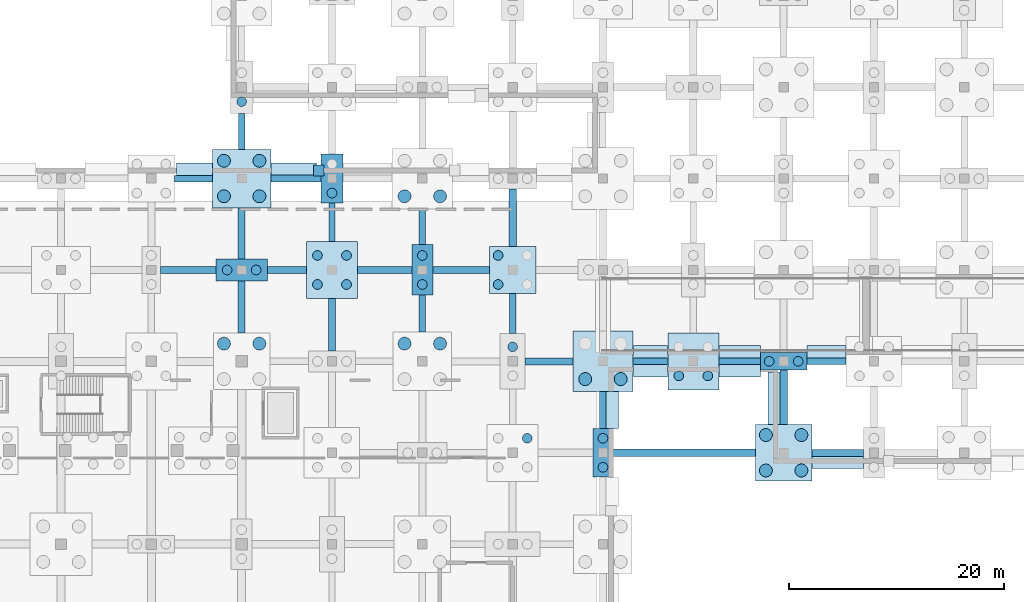
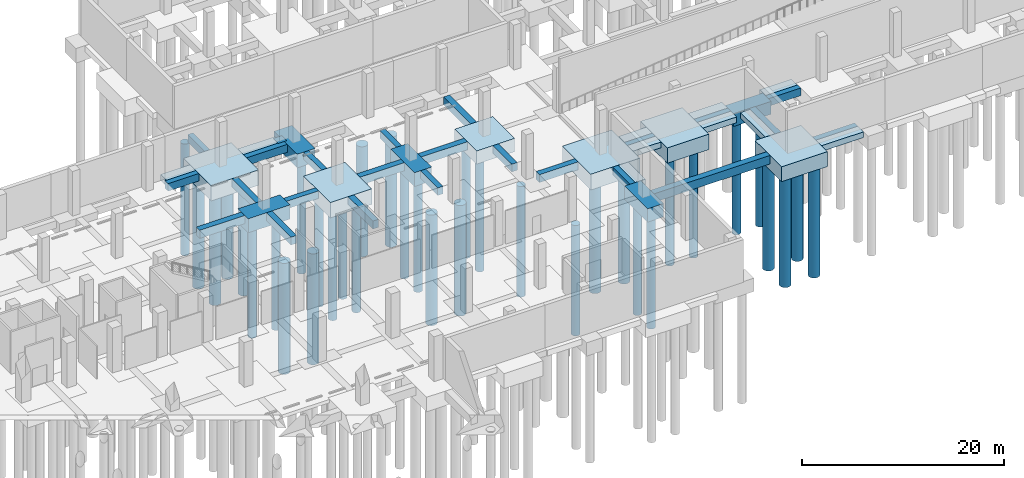
# One storey, part 16 of 34: 45 footings, 36 piles.
"""IFC4 building model written with IfcOpenShell, lengths in metres."""

from ifc_helpers import new_model, si_unit, direction, frame, origin, origin_2d, place, context, subcontext, project, spatial, rectangle, circle, extrude, material, material_profile, profile_set, type_object, element, save


model = new_model("IFC4")

# Units and contexts
model_context = context("Model", 3, precision=1e-05, world=origin(), true_north=direction((0.0, 1.0)))
body_context = subcontext(model_context, "Body", "Model", "MODEL_VIEW")
ifc_project = project(units=[si_unit("LENGTHUNIT", "METRE"), si_unit("AREAUNIT", "SQUARE_METRE"), si_unit("VOLUMEUNIT", "CUBIC_METRE"), si_unit("PLANEANGLEUNIT", "RADIAN"), si_unit("MASSUNIT", "GRAM", prefix="KILO")], contexts=[model_context])

# Site, building, storey
site_placement = place(None, origin())
site = spatial("IfcSite", under=ifc_project, at=site_placement, CompositionType="ELEMENT")
building_placement = place(site_placement, origin())
building = spatial("IfcBuilding", under=site, at=building_placement, Name="Solvento Point Concert Hall", CompositionType="ELEMENT")
storey_placement = place(building_placement, frame((0.0, 0.0, -5.39990234375)))
storey = spatial("IfcBuildingStorey", under=building, at=storey_placement, Name="B01", CompositionType="ELEMENT", Elevation=-5.39990234375)

# Piles
ifc_material_1 = material(Name="Concrete C40/50", Category="concrete")
ifc_material_profile_1 = material_profile(ifc_material_1, circle(Radius=0.60009765625, at=origin_2d()), Name="BP-1200")
ifc_profile_set_1 = profile_set([ifc_material_profile_1], Name="Concrete C40/50")
pile_type_1 = type_object("IfcPileType", Name="BoredPile_1200", PredefinedType="BORED", material=ifc_profile_set_1)
for number, where, z_axis, x_axis, name in (
    (1, (131.550048828125, 95.14990234375, -1.7001953125), (0.0, 0.0, -1.0), (1.0, 0.0, 0.0), "Bored pile BoredPile_1200 #459"),
    (2, (134.85009765625, 95.14990234375, -1.7001953125), (0.0, 0.0, -1.0), (1.0, 0.0, 0.0), "Bored pile BoredPile_1200 #460"),
):
    element("IfcPile", number, at=place(storey_placement, frame(where, z_axis=z_axis, x_axis=x_axis)), inside=storey, type_object=pile_type_1, Name=name, PredefinedType="BORED", context=body_context, shape_type="SweptSolid", body=[
        extrude(circle(Radius=0.60009765625, at=origin_2d()), origin(), (0.0, 0.0, 1.0), 13.39990234375),
    ])
for number, where, z_axis, x_axis, name in (
    (3, (131.550048828125, 108.85009765625, -1.75), (0.0, 0.0, -1.0), (1.0, 0.0, 0.0), "Bored pile BoredPile_1200 #463"),
    (4, (134.85009765625, 108.85009765625, -1.75), (0.0, 0.0, -1.0), (1.0, 0.0, 0.0), "Bored pile BoredPile_1200 #464"),
    (5, (131.550048828125, 112.14990234375, -1.75), (0.0, 0.0, -1.0), (1.0, 0.0, 0.0), "Bored pile BoredPile_1200 #465"),
    (6, (134.85009765625, 112.14990234375, -1.75), (0.0, 0.0, -1.0), (1.0, 0.0, 0.0), "Bored pile BoredPile_1200 #466"),
    (7, (148.35009765625, 95.14990234375, -1.75), (0.0, 0.0, -1.0), (1.0, 0.0, 0.0), "Bored pile BoredPile_1200 #537"),
    (8, (151.64990234375, 95.14990234375, -1.75), (0.0, 0.0, -1.0), (1.0, 0.0, 0.0), "Bored pile BoredPile_1200 #538"),
):
    element("IfcPile", number, at=place(storey_placement, frame(where, z_axis=z_axis, x_axis=x_axis)), inside=storey, type_object=pile_type_1, Name=name, PredefinedType="BORED", context=body_context, shape_type="SweptSolid", body=[
        extrude(circle(Radius=0.60009765625, at=origin_2d()), origin(), (0.0, 0.0, 1.0), 13.35009765625),
    ])
for number, where, z_axis, x_axis, name in (
    (9, (148.35009765625, 108.85009765625, -1.800048828125), (0.0, 0.0, -1.0), (1.0, 0.0, 0.0), "Bored pile BoredPile_1200 #541"),
    (10, (151.64990234375, 108.85009765625, -1.800048828125), (0.0, 0.0, -1.0), (1.0, 0.0, 0.0), "Bored pile BoredPile_1200 #542"),
    (11, (165.14990234375, 91.85009765625, -1.800048828125), (0.0, 0.0, -1.0), (1.0, 0.0, 0.0), "Bored pile BoredPile_1200 #613"),
    (12, (168.449951171875, 91.85009765625, -1.800048828125), (0.0, 0.0, -1.0), (1.0, 0.0, 0.0), "Bored pile BoredPile_1200 #614"),
):
    element("IfcPile", number, at=place(storey_placement, frame(where, z_axis=z_axis, x_axis=x_axis)), inside=storey, type_object=pile_type_1, Name=name, PredefinedType="BORED", context=body_context, shape_type="SweptSolid", body=[
        extrude(circle(Radius=0.60009765625, at=origin_2d()), origin(), (0.0, 0.0, 1.0), 13.300048828125),
    ])
for number, where, z_axis, x_axis, name in (
    (13, (181.949951171875, 83.35009765625, -1.7001953125), (0.0, 0.0, -1.0), (1.0, 0.0, 0.0), "Bored pile BoredPile_1200 #673"),
    (14, (185.25, 83.35009765625, -1.7001953125), (0.0, 0.0, -1.0), (1.0, 0.0, 0.0), "Bored pile BoredPile_1200 #674"),
    (15, (181.949951171875, 86.64990234375, -1.7001953125), (0.0, 0.0, -1.0), (1.0, 0.0, 0.0), "Bored pile BoredPile_1200 #675"),
    (16, (185.25, 86.64990234375, -1.7001953125), (0.0, 0.0, -1.0), (1.0, 0.0, 0.0), "Bored pile BoredPile_1200 #676"),
):
    element("IfcPile", number, at=place(storey_placement, frame(where, z_axis=z_axis, x_axis=x_axis)), inside=storey, type_object=pile_type_1, Name=name, PredefinedType="BORED", context=body_context, shape_type="SweptSolid", body=[
        extrude(circle(Radius=0.60009765625, at=origin_2d()), origin(), (0.0, 0.0, 1.0), 13.39990234375),
    ])
ifc_material_2 = material(Name="Concrete C40/50", Category="concrete")
ifc_material_profile_2 = material_profile(ifc_material_2, circle(Radius=0.449951171875, at=origin_2d()), Name="BP-900")
ifc_profile_set_2 = profile_set([ifc_material_profile_2], Name="Concrete C40/50")
pile_type_2 = type_object("IfcPileType", Name="BoredPile_900", PredefinedType="BORED", material=ifc_profile_set_2)
for number, where, z_axis, x_axis, name in (
    (17, (131.85009765625, 102.0, -1.60009765625), (0.0, 0.0, -1.0), (1.0, 0.0, 0.0), "Bored pile BoredPile_900 #461"),
    (18, (134.550048828125, 102.0, -1.60009765625), (0.0, 0.0, -1.0), (1.0, 0.0, 0.0), "Bored pile BoredPile_900 #462"),
):
    element("IfcPile", number, at=place(storey_placement, frame(where, z_axis=z_axis, x_axis=x_axis)), inside=storey, type_object=pile_type_2, Name=name, PredefinedType="BORED", context=body_context, shape_type="SweptSolid", body=[
        extrude(circle(Radius=0.449951171875, at=origin_2d()), origin(), (0.0, 0.0, 1.0), 13.5),
    ])
pile_1_placement = place(storey_placement, frame((133.199951171875, 117.64990234375, -1.6201171875), z_axis=(0.0, 0.0, -1.0), x_axis=(1.0, 0.0, 0.0)))
element("IfcPile", 19, at=pile_1_placement, inside=storey, type_object=pile_type_2, Name="Bored pile BoredPile_900 #467", PredefinedType="BORED", context=body_context, shape_type="SweptSolid", body=[
    extrude(circle(Radius=0.449951171875, at=origin_2d()), origin(), (0.0, 0.0, 1.0), 13.47998046875),
])
for number, where, z_axis, x_axis, name in (
    (20, (140.25, 100.64990234375, -1.760009765625), (0.0, 0.0, -1.0), (1.0, 0.0, 0.0), "Bored pile BoredPile_900 #499"),
    (21, (142.949951171875, 100.64990234375, -1.760009765625), (0.0, 0.0, -1.0), (1.0, 0.0, 0.0), "Bored pile BoredPile_900 #500"),
    (22, (140.25, 103.35009765625, -1.760009765625), (0.0, 0.0, -1.0), (1.0, 0.0, 0.0), "Bored pile BoredPile_900 #501"),
    (23, (142.949951171875, 103.35009765625, -1.760009765625), (0.0, 0.0, -1.0), (1.0, 0.0, 0.0), "Bored pile BoredPile_900 #502"),
):
    element("IfcPile", number, at=place(storey_placement, frame(where, z_axis=z_axis, x_axis=x_axis)), inside=storey, type_object=pile_type_2, Name=name, PredefinedType="BORED", context=body_context, shape_type="SweptSolid", body=[
        extrude(circle(Radius=0.449951171875, at=origin_2d()), origin(), (0.0, 0.0, 1.0), 13.340087890625),
    ])
pile_2_placement = place(storey_placement, frame((141.60009765625, 109.14990234375, -1.56005859375), z_axis=(0.0, 0.0, -1.0), x_axis=(1.0, 0.0, 0.0)))
element("IfcPile", 24, at=pile_2_placement, inside=storey, type_object=pile_type_2, Name="Bored pile BoredPile_900 #503", PredefinedType="BORED", context=body_context, shape_type="SweptSolid", body=[
    extrude(circle(Radius=0.449951171875, at=origin_2d()), origin(), (0.0, 0.0, 1.0), 13.5400390625),
])
for number, where, z_axis, x_axis, name in (
    (25, (150.0, 100.64990234375, -1.580078125), (0.0, 0.0, -1.0), (1.0, 0.0, 0.0), "Bored pile BoredPile_900 #539"),
    (26, (150.0, 103.35009765625, -1.580078125), (0.0, 0.0, -1.0), (1.0, 0.0, 0.0), "Bored pile BoredPile_900 #540"),
):
    element("IfcPile", number, at=place(storey_placement, frame(where, z_axis=z_axis, x_axis=x_axis)), inside=storey, type_object=pile_type_2, Name=name, PredefinedType="BORED", context=body_context, shape_type="SweptSolid", body=[
        extrude(circle(Radius=0.449951171875, at=origin_2d()), origin(), (0.0, 0.0, 1.0), 13.52001953125),
    ])
pile_3_placement = place(storey_placement, frame((159.75, 86.35009765625, -1.760009765625), z_axis=(0.0, 0.0, -1.0), x_axis=(1.0, 0.0, 0.0)))
element("IfcPile", 27, at=pile_3_placement, inside=storey, type_object=pile_type_2, Name="Bored pile BoredPile_900 #574", PredefinedType="BORED", context=body_context, shape_type="SweptSolid", body=[
    extrude(circle(Radius=0.449951171875, at=origin_2d()), origin(), (0.0, 0.0, 1.0), 13.340087890625),
])
pile_4_placement = place(storey_placement, frame((158.39990234375, 94.85009765625, -1.739990234375), z_axis=(0.0, 0.0, -1.0), x_axis=(1.0, 0.0, 0.0)))
element("IfcPile", 28, at=pile_4_placement, inside=storey, type_object=pile_type_2, Name="Bored pile BoredPile_900 #576", PredefinedType="BORED", context=body_context, shape_type="SweptSolid", body=[
    extrude(circle(Radius=0.449951171875, at=origin_2d()), origin(), (0.0, 0.0, 1.0), 13.360107421875),
])
for number, where, z_axis, x_axis, name in (
    (29, (157.050048828125, 100.64990234375, -1.5), (0.0, 0.0, -1.0), (1.0, 0.0, 0.0), "Bored pile BoredPile_900 #577"),
    (30, (157.050048828125, 103.35009765625, -1.5), (0.0, 0.0, -1.0), (1.0, 0.0, 0.0), "Bored pile BoredPile_900 #579"),
):
    element("IfcPile", number, at=place(storey_placement, frame(where, z_axis=z_axis, x_axis=x_axis)), inside=storey, type_object=pile_type_2, Name=name, PredefinedType="BORED", context=body_context, shape_type="SweptSolid", body=[
        extrude(circle(Radius=0.449951171875, at=origin_2d()), origin(), (0.0, 0.0, 1.0), 13.60009765625),
    ])
for number, where, z_axis, x_axis, name in (
    (31, (166.800048828125, 83.64990234375, -1.52001953125), (0.0, 0.0, -1.0), (1.0, 0.0, 0.0), "Bored pile BoredPile_900 #611"),
    (32, (166.800048828125, 86.35009765625, -1.52001953125), (0.0, 0.0, -1.0), (1.0, 0.0, 0.0), "Bored pile BoredPile_900 #612"),
):
    element("IfcPile", number, at=place(storey_placement, frame(where, z_axis=z_axis, x_axis=x_axis)), inside=storey, type_object=pile_type_2, Name=name, PredefinedType="BORED", context=body_context, shape_type="SweptSolid", body=[
        extrude(circle(Radius=0.449951171875, at=origin_2d()), origin(), (0.0, 0.0, 1.0), 13.580078125),
    ])
for number, where, z_axis, x_axis, name in (
    (33, (173.85009765625, 92.14990234375, -1.760009765625), (0.0, 0.0, -1.0), (1.0, 0.0, 0.0), "Bored pile BoredPile_900 #643"),
    (34, (176.550048828125, 92.14990234375, -1.760009765625), (0.0, 0.0, -1.0), (1.0, 0.0, 0.0), "Bored pile BoredPile_900 #644"),
):
    element("IfcPile", number, at=place(storey_placement, frame(where, z_axis=z_axis, x_axis=x_axis)), inside=storey, type_object=pile_type_2, Name=name, PredefinedType="BORED", context=body_context, shape_type="SweptSolid", body=[
        extrude(circle(Radius=0.449951171875, at=origin_2d()), origin(), (0.0, 0.0, 1.0), 13.340087890625),
    ])
for number, where, z_axis, x_axis, name in (
    (35, (182.25, 93.5, -1.4501953125), (0.0, 0.0, -1.0), (1.0, 0.0, 0.0), "Bored pile BoredPile_900 #677"),
    (36, (184.949951171875, 93.5, -1.4501953125), (0.0, 0.0, -1.0), (1.0, 0.0, 0.0), "Bored pile BoredPile_900 #678"),
):
    element("IfcPile", number, at=place(storey_placement, frame(where, z_axis=z_axis, x_axis=x_axis)), inside=storey, type_object=pile_type_2, Name=name, PredefinedType="BORED", context=body_context, shape_type="SweptSolid", body=[
        extrude(circle(Radius=0.449951171875, at=origin_2d()), origin(), (0.0, 0.0, 1.0), 13.64990234375),
    ])

# Footings
ifc_material_3 = material(Name="Concrete C40/50", Category="concrete")
footing_type_1 = type_object("IfcFootingType", Name="PileCap_2A", PredefinedType="PILE_CAP", material=ifc_material_3)
footing_1_placement = place(storey_placement, frame((183.60009765625, 93.5, -1.55029296875), z_axis=(0.0, 0.0, 1.0), x_axis=(1.0, 0.0, 0.0)))
element("IfcFooting", 37, at=footing_1_placement, inside=storey, type_object=footing_type_1, Name="Pile cap PC-2A at G-23-M", PredefinedType="PILE_CAP", context=body_context, shape_type="SweptSolid", body=[
    extrude(rectangle(XDim=4.300048828125, YDim=1.64990234375, at=origin_2d()), origin(), (0.0, 0.0, 1.0), 1.550048828125),
])
ifc_material_4 = material(Name="Concrete C40/50", Category="concrete")
footing_type_2 = type_object("IfcFootingType", Name="PileCap_2D", PredefinedType="PILE_CAP", material=ifc_material_4)
footing_2_placement = place(storey_placement, frame((166.800048828125, 85.0, -1.6201171875), z_axis=(0.0, 0.0, 1.0), x_axis=(1.0, 0.0, 0.0)))
element("IfcFooting", 38, at=footing_2_placement, inside=storey, type_object=footing_type_2, Name="Pile cap PC-2D at G-21-L", PredefinedType="PILE_CAP", context=body_context, shape_type="SweptSolid", body=[
    extrude(rectangle(XDim=1.840087890625, YDim=4.5400390625, at=origin_2d()), origin(), (0.0, 0.0, 1.0), 1.6201171875),
])
ifc_material_5 = material(Name="Concrete C40/50", Category="concrete")
footing_type_3 = type_object("IfcFootingType", Name="PileCap_2F", PredefinedType="PILE_CAP", material=ifc_material_5)
footing_3_placement = place(storey_placement, frame((150.0, 102.0, -1.68017578125), z_axis=(0.0, 0.0, 1.0), x_axis=(1.0, 0.0, 0.0)))
element("IfcFooting", 39, at=footing_3_placement, inside=storey, type_object=footing_type_3, Name="Pile cap PC-2F at G-19-N", PredefinedType="PILE_CAP", context=body_context, shape_type="SweptSolid", body=[
    extrude(rectangle(XDim=1.9599609375, YDim=4.699951171875, at=origin_2d()), origin(), (0.0, 0.0, 1.0), 1.679931640625),
])
ifc_material_6 = material(Name="Concrete C40/50", Category="concrete")
footing_type_4 = type_object("IfcFootingType", Name="PileCap_2G", PredefinedType="PILE_CAP", material=ifc_material_6)
footing_4_placement = place(storey_placement, frame((133.199951171875, 102.0, -1.7001953125), z_axis=(0.0, 0.0, 1.0), x_axis=(1.0, 0.0, 0.0)))
element("IfcFooting", 40, at=footing_4_placement, inside=storey, type_object=footing_type_4, Name="Pile cap PC-2G at G-17-N", PredefinedType="PILE_CAP", context=body_context, shape_type="SweptSolid", body=[
    extrude(rectangle(XDim=4.780029296875, YDim=2.02001953125, at=origin_2d()), origin(), (0.0, 0.0, 1.0), 1.699951171875),
])
ifc_material_7 = material(Name="Concrete C40/50", Category="concrete")
footing_type_5 = type_object("IfcFootingType", Name="PileCap_2P", PredefinedType="PILE_CAP", material=ifc_material_7)
footing_5_placement = place(storey_placement, frame((141.60009765625, 110.5, -1.66015625), z_axis=(0.0, 0.0, 1.0), x_axis=(1.0, 0.0, 0.0)))
element("IfcFooting", 41, at=footing_5_placement, inside=storey, type_object=footing_type_5, Name="Pile cap PC-2P at G-18-P", PredefinedType="PILE_CAP", context=body_context, shape_type="SweptSolid", body=[
    extrude(rectangle(XDim=2.050048828125, YDim=4.580078125, at=origin_2d()), origin(), (0.0, 0.0, 1.0), 1.659912109375),
])
ifc_material_8 = material(Name="Concrete C40/50", Category="concrete")
footing_type_6 = type_object("IfcFootingType", Name="PileCap_4A", PredefinedType="PILE_CAP", material=ifc_material_8)
footing_6_placement = place(storey_placement, frame((158.39990234375, 102.0, -1.60009765625), z_axis=(0.0, 0.0, 1.0), x_axis=(1.0, 0.0, 0.0)))
element("IfcFooting", 42, at=footing_6_placement, inside=storey, type_object=footing_type_6, Name="Pile cap PC-4A at G-20-N", PredefinedType="PILE_CAP", context=body_context, shape_type="SweptSolid", body=[
    extrude(rectangle(XDim=4.35009765625, YDim=4.35009765625, at=origin_2d()), origin(), (0.0, 0.0, 1.0), 1.60009765625),
])
ifc_material_9 = material(Name="Concrete C40/50", Category="concrete")
footing_type_7 = type_object("IfcFootingType", Name="PileCap_4E", PredefinedType="PILE_CAP", material=ifc_material_9)
footing_7_placement = place(storey_placement, frame((183.60009765625, 85.0, -1.80029296875), z_axis=(0.0, 0.0, 1.0), x_axis=(1.0, 0.0, 0.0)))
element("IfcFooting", 43, at=footing_7_placement, inside=storey, type_object=footing_type_7, Name="Pile cap PC-4E at G-23-L", PredefinedType="PILE_CAP", context=body_context, shape_type="SweptSolid", body=[
    extrude(rectangle(XDim=5.25, YDim=5.25, at=origin_2d()), origin(), (0.0, 0.0, 1.0), 1.800048828125),
])
ifc_material_10 = material(Name="Concrete C40/50", Category="concrete")
footing_type_8 = type_object("IfcFootingType", Name="PileCap_4F", PredefinedType="PILE_CAP", material=ifc_material_10)
footing_8_placement = place(storey_placement, frame((133.199951171875, 110.5, -1.85009765625), z_axis=(0.0, 0.0, 1.0), x_axis=(1.0, 0.0, 0.0)))
element("IfcFooting", 44, at=footing_8_placement, inside=storey, type_object=footing_type_8, Name="Pile cap PC-4F at G-17-P", PredefinedType="PILE_CAP", context=body_context, shape_type="SweptSolid", body=[
    extrude(rectangle(XDim=5.43994140625, YDim=5.43994140625, at=origin_2d()), origin(), (0.0, 0.0, 1.0), 1.85009765625),
])
ifc_material_11 = material(Name="Concrete C40/50", Category="concrete")
footing_type_9 = type_object("IfcFootingType", Name="PileCap_4G", PredefinedType="PILE_CAP", material=ifc_material_11)
footing_9_placement = place(storey_placement, frame((166.800048828125, 93.5, -1.900146484375), z_axis=(0.0, 0.0, 1.0), x_axis=(1.0, 0.0, 0.0)))
element("IfcFooting", 45, at=footing_9_placement, inside=storey, type_object=footing_type_9, Name="Pile cap PC-4G at G-21-M", PredefinedType="PILE_CAP", context=body_context, shape_type="SweptSolid", body=[
    extrude(rectangle(XDim=5.6201171875, YDim=5.6201171875, at=origin_2d()), origin(), (0.0, 0.0, 1.0), 1.89990234375),
])
ifc_material_12 = material(Name="Concrete C40/50", Category="concrete")
footing_type_10 = type_object("IfcFootingType", Name="PileCap_4M", PredefinedType="PILE_CAP", material=ifc_material_12)
for number, where, z_axis, x_axis, name in (
    (46, (141.60009765625, 102.0, -1.8603515625), (0.0, 0.0, 1.0), (1.0, 0.0, 0.0), "Pile cap PC-4M at G-18-N"),
    (47, (175.199951171875, 93.5, -1.8603515625), (0.0, 0.0, 1.0), (1.0, 0.0, 0.0), "Pile cap PC-4M at G-22-M"),
):
    element("IfcFooting", number, at=place(storey_placement, frame(where, z_axis=z_axis, x_axis=x_axis)), inside=storey, type_object=footing_type_10, Name=name, PredefinedType="PILE_CAP", context=body_context, shape_type="SweptSolid", body=[
        extrude(rectangle(XDim=4.739990234375, YDim=5.300048828125, at=origin_2d()), origin(), (0.0, 0.0, 1.0), 1.860107421875),
    ])
ifc_material_13 = material(Name="Concrete C40/50", Category="concrete")
footing_type_11 = type_object("IfcFootingType", Name="StripFooting_1400x700", PredefinedType="STRIP_FOOTING", material=ifc_material_13)
footing_10_placement = place(storey_placement, frame((171.219970703125, 94.2900390625, -0.7001953125), z_axis=(0.0, 0.0, 1.0), x_axis=(1.0, 0.0, 0.0)))
element("IfcFooting", 48, at=footing_10_placement, inside=storey, type_object=footing_type_11, Name="Strip footing SF-02", PredefinedType="STRIP_FOOTING", context=body_context, shape_type="SweptSolid", body=[
    extrude(rectangle(XDim=3.179931640625, YDim=1.39990234375, at=origin_2d()), origin(), (0.0, 0.0, 1.0), 0.699951171875),
])
footing_11_placement = place(storey_placement, frame((179.510009765625, 94.2900390625, -0.7001953125), z_axis=(0.0, 0.0, 1.0), x_axis=(1.0, 0.0, 0.0)))
element("IfcFooting", 49, at=footing_11_placement, inside=storey, type_object=footing_type_11, Name="Strip footing SF-02", PredefinedType="STRIP_FOOTING", context=body_context, shape_type="SweptSolid", body=[
    extrude(rectangle(XDim=3.840087890625, YDim=1.39990234375, at=origin_2d()), origin(), (0.0, 0.0, 1.0), 0.699951171875),
])
footing_12_placement = place(storey_placement, frame((187.5849609375, 94.2900390625, -0.7001953125), z_axis=(0.0, 0.0, 1.0), x_axis=(1.0, 0.0, 0.0)))
element("IfcFooting", 50, at=footing_12_placement, inside=storey, type_object=footing_type_11, Name="Strip footing SF-02", PredefinedType="STRIP_FOOTING", context=body_context, shape_type="SweptSolid", body=[
    extrude(rectangle(XDim=3.6298828125, YDim=1.39990234375, at=origin_2d()), origin(), (0.0, 0.0, 1.0), 0.699951171875),
])
footing_13_placement = place(storey_placement, frame((128.797119140625, 111.2548828125, -0.7001953125), z_axis=(0.0, 0.0, 1.0), x_axis=(1.0, 0.0, 0.0)))
element("IfcFooting", 51, at=footing_13_placement, inside=storey, type_object=footing_type_11, Name="Strip footing SF-02", PredefinedType="STRIP_FOOTING", context=body_context, shape_type="SweptSolid", body=[
    extrude(rectangle(XDim=3.345703125, YDim=1.39990234375, at=origin_2d()), origin(), (0.0, 0.0, 1.0), 0.699951171875),
])
footing_14_placement = place(storey_placement, frame((138.051513671875, 111.2548828125, -0.7001953125), z_axis=(0.0, 0.0, 1.0), x_axis=(1.0, 0.0, 0.0)))
element("IfcFooting", 52, at=footing_14_placement, inside=storey, type_object=footing_type_11, Name="Strip footing SF-02", PredefinedType="STRIP_FOOTING", context=body_context, shape_type="SweptSolid", body=[
    extrude(rectangle(XDim=4.242919921875, YDim=1.39990234375, at=origin_2d()), origin(), (0.0, 0.0, 1.0), 0.699951171875),
])
footing_15_placement = place(storey_placement, frame((140.373779296875, 111.2548828125, -0.7001953125), z_axis=(0.0, 0.0, 1.0), x_axis=(1.0, 0.0, 0.0)))
element("IfcFooting", 53, at=footing_15_placement, inside=storey, type_object=footing_type_11, Name="Strip footing SF-02", PredefinedType="STRIP_FOOTING", context=body_context, shape_type="SweptSolid", body=[
    extrude(rectangle(XDim=1.0, YDim=1.0, at=origin_2d()), origin(), (0.0, 0.0, 1.0), 0.699951171875),
])
footing_16_placement = place(storey_placement, frame((188.62255859375, 84.2451171875, -0.7001953125), z_axis=(0.0, 0.0, 1.0), x_axis=(-1.0, 0.0, 0.0)))
element("IfcFooting", 54, at=footing_16_placement, inside=storey, type_object=footing_type_11, Name="Strip footing SF-02", PredefinedType="STRIP_FOOTING", context=body_context, shape_type="SweptSolid", body=[
    extrude(rectangle(XDim=4.77490234375, YDim=1.39990234375, at=origin_2d()), origin(), (0.0, 0.0, 1.0), 0.699951171875),
])
footing_17_placement = place(storey_placement, frame((182.844970703125, 90.077392578125, -0.7001953125), z_axis=(0.0, 0.0, 1.0), x_axis=(0.0, 1.0, 0.0)))
element("IfcFooting", 55, at=footing_17_placement, inside=storey, type_object=footing_type_11, Name="Strip footing SF-02", PredefinedType="STRIP_FOOTING", context=body_context, shape_type="SweptSolid", body=[
    extrude(rectangle(XDim=4.885009765625, YDim=1.39990234375, at=origin_2d()), origin(), (0.0, 0.0, 1.0), 0.699951171875),
])
footing_18_placement = place(storey_placement, frame((179.510009765625, 92.7451171875, -0.7001953125), z_axis=(0.0, 0.0, 1.0), x_axis=(-1.0, 0.0, 0.0)))
element("IfcFooting", 56, at=footing_18_placement, inside=storey, type_object=footing_type_11, Name="Strip footing SF-02", PredefinedType="STRIP_FOOTING", context=body_context, shape_type="SweptSolid", body=[
    extrude(rectangle(XDim=3.860107421875, YDim=1.39990234375, at=origin_2d()), origin(), (0.0, 0.0, 1.0), 0.699951171875),
])
footing_19_placement = place(storey_placement, frame((171.219970703125, 92.7451171875, -0.7001953125), z_axis=(0.0, 0.0, 1.0), x_axis=(-1.0, 0.0, 0.0)))
element("IfcFooting", 57, at=footing_19_placement, inside=storey, type_object=footing_type_11, Name="Strip footing SF-02", PredefinedType="STRIP_FOOTING", context=body_context, shape_type="SweptSolid", body=[
    extrude(rectangle(XDim=3.199951171875, YDim=1.39990234375, at=origin_2d()), origin(), (0.0, 0.0, 1.0), 0.699951171875),
])
footing_20_placement = place(storey_placement, frame((167.554931640625, 88.97998046875, -0.7001953125), z_axis=(0.0, 0.0, 1.0), x_axis=(0.0, -1.0, 0.0)))
element("IfcFooting", 58, at=footing_20_placement, inside=storey, type_object=footing_type_11, Name="Strip footing SF-02", PredefinedType="STRIP_FOOTING", context=body_context, shape_type="SweptSolid", body=[
    extrude(rectangle(XDim=3.39990234375, YDim=1.39990234375, at=origin_2d()), origin(), (0.0, 0.0, 1.0), 0.699951171875),
])
ifc_material_14 = material(Name="Concrete C40/50", Category="concrete")
footing_type_12 = type_object("IfcFootingType", Name="TieBeam_600x900", PredefinedType="FOOTING_BEAM", material=ifc_material_14)
footing_21_placement = place(storey_placement, frame((171.219970703125, 93.5, -0.900146484375), z_axis=(0.0, 0.0, 1.0), x_axis=(1.0, 0.0, 0.0)))
element("IfcFooting", 59, at=footing_21_placement, inside=storey, type_object=footing_type_12, Name="Seismic tie beam GB-01", PredefinedType="FOOTING_BEAM", context=body_context, shape_type="SweptSolid", body=[
    extrude(rectangle(XDim=3.219970703125, YDim=0.60009765625, at=origin_2d()), origin(), (0.0, 0.0, 1.0), 0.89990234375),
])
footing_22_placement = place(storey_placement, frame((128.7275390625, 110.5, -0.900146484375), z_axis=(0.0, 0.0, 1.0), x_axis=(1.0, 0.0, 0.0)))
element("IfcFooting", 60, at=footing_22_placement, inside=storey, type_object=footing_type_12, Name="Seismic tie beam GB-01", PredefinedType="FOOTING_BEAM", context=body_context, shape_type="SweptSolid", body=[
    extrude(rectangle(XDim=3.5048828125, YDim=0.60009765625, at=origin_2d()), origin(), (0.0, 0.0, 1.0), 0.89990234375),
])
footing_23_placement = place(storey_placement, frame((133.199951171875, 114.89501953125, -0.900146484375), z_axis=(0.0, 0.0, 1.0), x_axis=(0.0, 1.0, 0.0)))
element("IfcFooting", 61, at=footing_23_placement, inside=storey, type_object=footing_type_12, Name="Seismic tie beam GB-01", PredefinedType="FOOTING_BEAM", context=body_context, shape_type="SweptSolid", body=[
    extrude(rectangle(XDim=3.35009765625, YDim=0.60009765625, at=origin_2d()), origin(), (0.0, 0.0, 1.0), 0.89990234375),
])
footing_24_placement = place(storey_placement, frame((141.60009765625, 106.429931640625, -0.900146484375), z_axis=(0.0, 0.0, 1.0), x_axis=(0.0, 1.0, 0.0)))
element("IfcFooting", 62, at=footing_24_placement, inside=storey, type_object=footing_type_12, Name="Seismic tie beam GB-01", PredefinedType="FOOTING_BEAM", context=body_context, shape_type="SweptSolid", body=[
    extrude(rectangle(XDim=3.56005859375, YDim=0.60009765625, at=origin_2d()), origin(), (0.0, 0.0, 1.0), 0.89990234375),
])
footing_25_placement = place(storey_placement, frame((150.0, 97.93505859375, -0.900146484375), z_axis=(0.0, 0.0, 1.0), x_axis=(0.0, 1.0, 0.0)))
element("IfcFooting", 63, at=footing_25_placement, inside=storey, type_object=footing_type_12, Name="Seismic tie beam GB-01", PredefinedType="FOOTING_BEAM", context=body_context, shape_type="SweptSolid", body=[
    extrude(rectangle(XDim=3.429931640625, YDim=0.60009765625, at=origin_2d()), origin(), (0.0, 0.0, 1.0), 0.89990234375),
])
footing_26_placement = place(storey_placement, frame((150.0, 106.02001953125, -0.900146484375), z_axis=(0.0, 0.0, 1.0), x_axis=(0.0, 1.0, 0.0)))
element("IfcFooting", 64, at=footing_26_placement, inside=storey, type_object=footing_type_12, Name="Seismic tie beam GB-01", PredefinedType="FOOTING_BEAM", context=body_context, shape_type="SweptSolid", body=[
    extrude(rectangle(XDim=3.340087890625, YDim=0.60009765625, at=origin_2d()), origin(), (0.0, 0.0, 1.0), 0.89990234375),
])
footing_27_placement = place(storey_placement, frame((166.800048828125, 88.97998046875, -0.900146484375), z_axis=(0.0, 0.0, 1.0), x_axis=(0.0, 1.0, 0.0)))
element("IfcFooting", 65, at=footing_27_placement, inside=storey, type_object=footing_type_12, Name="Seismic tie beam GB-01", PredefinedType="FOOTING_BEAM", context=body_context, shape_type="SweptSolid", body=[
    extrude(rectangle(XDim=3.419921875, YDim=0.60009765625, at=origin_2d()), origin(), (0.0, 0.0, 1.0), 0.89990234375),
])
ifc_material_15 = material(Name="Concrete C40/50", Category="concrete")
footing_type_13 = type_object("IfcFootingType", Name="TieBeam_620x920", PredefinedType="FOOTING_BEAM", material=ifc_material_15)
footing_28_placement = place(storey_placement, frame((179.510009765625, 93.5, -0.920166015625), z_axis=(0.0, 0.0, 1.0), x_axis=(1.0, 0.0, 0.0)))
element("IfcFooting", 66, at=footing_28_placement, inside=storey, type_object=footing_type_13, Name="Seismic tie beam GB-02", PredefinedType="FOOTING_BEAM", context=body_context, shape_type="SweptSolid", body=[
    extrude(rectangle(XDim=3.8798828125, YDim=0.6201171875, at=origin_2d()), origin(), (0.0, 0.0, 1.0), 0.919921875),
])
footing_29_placement = place(storey_placement, frame((187.5849609375, 93.5, -0.920166015625), z_axis=(0.0, 0.0, 1.0), x_axis=(1.0, 0.0, 0.0)))
element("IfcFooting", 67, at=footing_29_placement, inside=storey, type_object=footing_type_13, Name="Seismic tie beam GB-02", PredefinedType="FOOTING_BEAM", context=body_context, shape_type="SweptSolid", body=[
    extrude(rectangle(XDim=3.669921875, YDim=0.6201171875, at=origin_2d()), origin(), (0.0, 0.0, 1.0), 0.919921875),
])
footing_30_placement = place(storey_placement, frame((137.409912109375, 102.0, -0.920166015625), z_axis=(0.0, 0.0, 1.0), x_axis=(1.0, 0.0, 0.0)))
element("IfcFooting", 68, at=footing_30_placement, inside=storey, type_object=footing_type_13, Name="Seismic tie beam GB-02", PredefinedType="FOOTING_BEAM", context=body_context, shape_type="SweptSolid", body=[
    extrude(rectangle(XDim=3.639892578125, YDim=0.6201171875, at=origin_2d()), origin(), (0.0, 0.0, 1.0), 0.919921875),
])
footing_31_placement = place(storey_placement, frame((158.39990234375, 97.95751953125, -0.920166015625), z_axis=(0.0, 0.0, 1.0), x_axis=(0.0, 1.0, 0.0)))
element("IfcFooting", 69, at=footing_31_placement, inside=storey, type_object=footing_type_13, Name="Seismic tie beam GB-02", PredefinedType="FOOTING_BEAM", context=body_context, shape_type="SweptSolid", body=[
    extrude(rectangle(XDim=3.735107421875, YDim=0.6201171875, at=origin_2d()), origin(), (0.0, 0.0, 1.0), 0.919921875),
])
ifc_material_16 = material(Name="Concrete C40/50", Category="concrete")
footing_type_14 = type_object("IfcFootingType", Name="TieBeam_650x950", PredefinedType="FOOTING_BEAM", material=ifc_material_16)
footing_32_placement = place(storey_placement, frame((188.62255859375, 85.0, -0.9501953125), z_axis=(0.0, 0.0, 1.0), x_axis=(1.0, 0.0, 0.0)))
element("IfcFooting", 70, at=footing_32_placement, inside=storey, type_object=footing_type_14, Name="Seismic tie beam GB-03", PredefinedType="FOOTING_BEAM", context=body_context, shape_type="SweptSolid", body=[
    extrude(rectangle(XDim=4.794921875, YDim=0.64990234375, at=origin_2d()), origin(), (0.0, 0.0, 1.0), 0.949951171875),
])
footing_33_placement = place(storey_placement, frame((161.77490234375, 93.5, -0.9501953125), z_axis=(0.0, 0.0, 1.0), x_axis=(1.0, 0.0, 0.0)))
element("IfcFooting", 71, at=footing_33_placement, inside=storey, type_object=footing_type_14, Name="Seismic tie beam GB-03", PredefinedType="FOOTING_BEAM", context=body_context, shape_type="SweptSolid", body=[
    extrude(rectangle(XDim=4.429931640625, YDim=0.64990234375, at=origin_2d()), origin(), (0.0, 0.0, 1.0), 0.949951171875),
])
footing_34_placement = place(storey_placement, frame((138.24755859375, 110.5, -0.9501953125), z_axis=(0.0, 0.0, 1.0), x_axis=(1.0, 0.0, 0.0)))
element("IfcFooting", 72, at=footing_34_placement, inside=storey, type_object=footing_type_14, Name="Seismic tie beam GB-03", PredefinedType="FOOTING_BEAM", context=body_context, shape_type="SweptSolid", body=[
    extrude(rectangle(XDim=4.655029296875, YDim=0.64990234375, at=origin_2d()), origin(), (0.0, 0.0, 1.0), 0.949951171875),
])
footing_35_placement = place(storey_placement, frame((133.199951171875, 98.5576171875, -0.9501953125), z_axis=(0.0, 0.0, 1.0), x_axis=(0.0, 1.0, 0.0)))
element("IfcFooting", 73, at=footing_35_placement, inside=storey, type_object=footing_type_14, Name="Seismic tie beam GB-03", PredefinedType="FOOTING_BEAM", context=body_context, shape_type="SweptSolid", body=[
    extrude(rectangle(XDim=4.864990234375, YDim=0.64990234375, at=origin_2d()), origin(), (0.0, 0.0, 1.0), 0.949951171875),
])
footing_36_placement = place(storey_placement, frame((133.199951171875, 105.39501953125, -0.9501953125), z_axis=(0.0, 0.0, 1.0), x_axis=(0.0, 1.0, 0.0)))
element("IfcFooting", 74, at=footing_36_placement, inside=storey, type_object=footing_type_14, Name="Seismic tie beam GB-03", PredefinedType="FOOTING_BEAM", context=body_context, shape_type="SweptSolid", body=[
    extrude(rectangle(XDim=4.77001953125, YDim=0.64990234375, at=origin_2d()), origin(), (0.0, 0.0, 1.0), 0.949951171875),
])
footing_37_placement = place(storey_placement, frame((141.60009765625, 96.909912109375, -0.9501953125), z_axis=(0.0, 0.0, 1.0), x_axis=(0.0, 1.0, 0.0)))
element("IfcFooting", 75, at=footing_37_placement, inside=storey, type_object=footing_type_14, Name="Seismic tie beam GB-03", PredefinedType="FOOTING_BEAM", context=body_context, shape_type="SweptSolid", body=[
    extrude(rectangle(XDim=4.8798828125, YDim=0.64990234375, at=origin_2d()), origin(), (0.0, 0.0, 1.0), 0.949951171875),
])
ifc_material_17 = material(Name="Concrete C40/50", Category="concrete")
footing_type_15 = type_object("IfcFootingType", Name="TieBeam_680x980", PredefinedType="FOOTING_BEAM", material=ifc_material_17)
footing_38_placement = place(storey_placement, frame((128.235107421875, 102.0, -0.97998046875), z_axis=(0.0, 0.0, 1.0), x_axis=(1.0, 0.0, 0.0)))
element("IfcFooting", 76, at=footing_38_placement, inside=storey, type_object=footing_type_15, Name="Seismic tie beam GB-04", PredefinedType="FOOTING_BEAM", context=body_context, shape_type="SweptSolid", body=[
    extrude(rectangle(XDim=5.14990234375, YDim=0.679931640625, at=origin_2d()), origin(), (0.0, 0.0, 1.0), 0.97998046875),
])
footing_39_placement = place(storey_placement, frame((146.4951171875, 102.0, -0.97998046875), z_axis=(0.0, 0.0, 1.0), x_axis=(1.0, 0.0, 0.0)))
element("IfcFooting", 77, at=footing_39_placement, inside=storey, type_object=footing_type_15, Name="Seismic tie beam GB-04", PredefinedType="FOOTING_BEAM", context=body_context, shape_type="SweptSolid", body=[
    extrude(rectangle(XDim=5.050048828125, YDim=0.679931640625, at=origin_2d()), origin(), (0.0, 0.0, 1.0), 0.97998046875),
])
footing_40_placement = place(storey_placement, frame((153.6025390625, 102.0, -0.97998046875), z_axis=(0.0, 0.0, 1.0), x_axis=(1.0, 0.0, 0.0)))
element("IfcFooting", 78, at=footing_40_placement, inside=storey, type_object=footing_type_15, Name="Seismic tie beam GB-04", PredefinedType="FOOTING_BEAM", context=body_context, shape_type="SweptSolid", body=[
    extrude(rectangle(XDim=5.2451171875, YDim=0.679931640625, at=origin_2d()), origin(), (0.0, 0.0, 1.0), 0.97998046875),
])
footing_41_placement = place(storey_placement, frame((158.39990234375, 106.8525390625, -0.97998046875), z_axis=(0.0, 0.0, 1.0), x_axis=(0.0, 1.0, 0.0)))
element("IfcFooting", 79, at=footing_41_placement, inside=storey, type_object=footing_type_15, Name="Seismic tie beam GB-04", PredefinedType="FOOTING_BEAM", context=body_context, shape_type="SweptSolid", body=[
    extrude(rectangle(XDim=5.35498046875, YDim=0.679931640625, at=origin_2d()), origin(), (0.0, 0.0, 1.0), 0.97998046875),
])
footing_42_placement = place(storey_placement, frame((183.60009765625, 90.14990234375, -0.97998046875), z_axis=(0.0, 0.0, 1.0), x_axis=(0.0, 1.0, 0.0)))
element("IfcFooting", 80, at=footing_42_placement, inside=storey, type_object=footing_type_15, Name="Seismic tie beam GB-04", PredefinedType="FOOTING_BEAM", context=body_context, shape_type="SweptSolid", body=[
    extrude(rectangle(XDim=5.050048828125, YDim=0.679931640625, at=origin_2d()), origin(), (0.0, 0.0, 1.0), 0.97998046875),
])
ifc_material_18 = material(Name="Concrete C40/50", Category="concrete")
footing_type_16 = type_object("IfcFootingType", Name="TieBeam_720x1020", PredefinedType="FOOTING_BEAM", material=ifc_material_18)
footing_43_placement = place(storey_placement, frame((174.347412109375, 85.0, -1.02001953125), z_axis=(0.0, 0.0, 1.0), x_axis=(1.0, 0.0, 0.0)))
element("IfcFooting", 81, at=footing_43_placement, inside=storey, type_object=footing_type_16, Name="Seismic tie beam GB-06", PredefinedType="FOOTING_BEAM", context=body_context, shape_type="SweptSolid", body=[
    extrude(rectangle(XDim=13.2548828125, YDim=0.719970703125, at=origin_2d()), origin(), (0.0, 0.0, 1.0), 1.02001953125),
])

save(model, "model.ifc")
